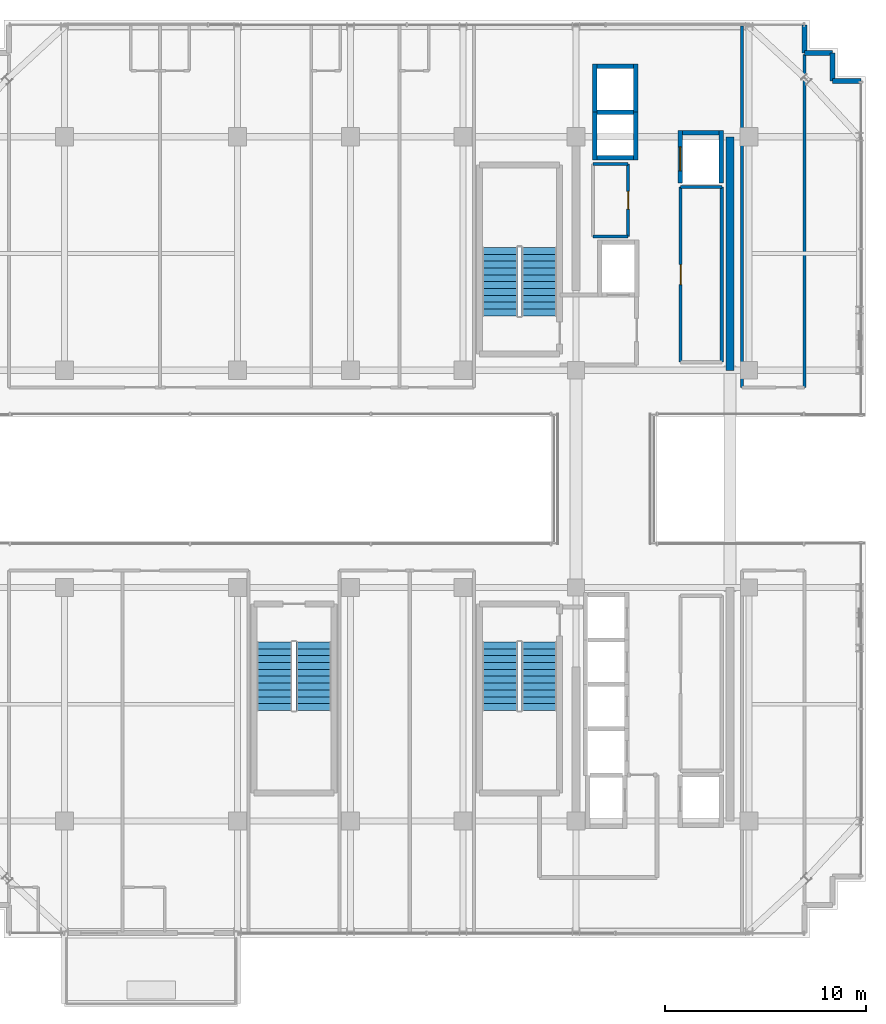
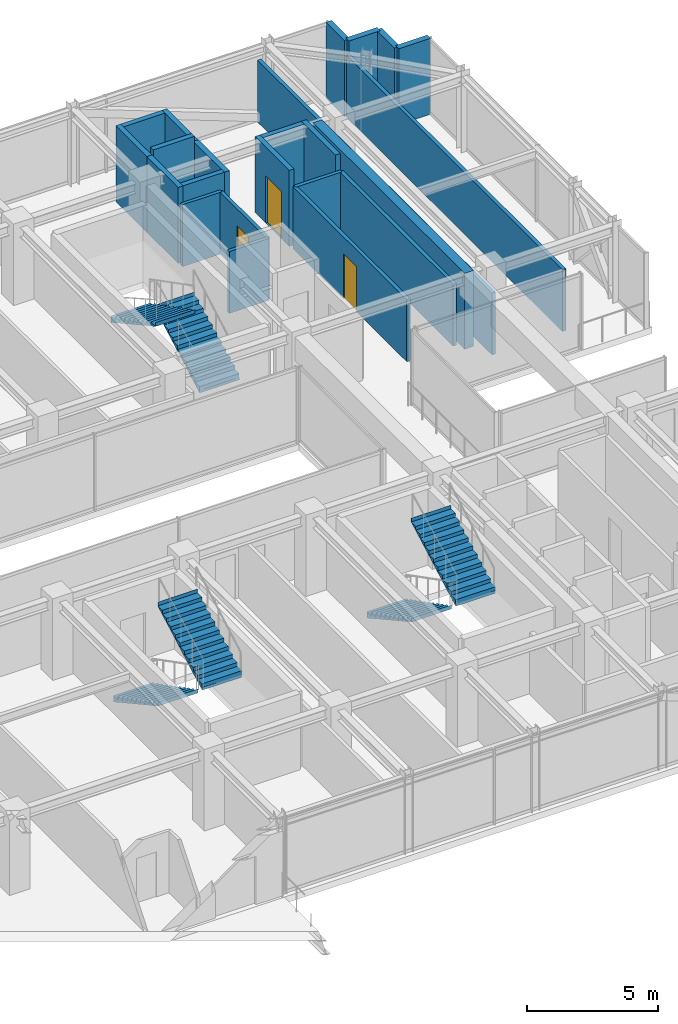
# One storey, part 33 of 37: 23 walls, 6 stair flights, 3 doors, 3 openings, 3 elements without a shape of their own.
"""IFC4 building model written with IfcOpenShell, lengths in metres."""

from ifc_helpers import new_model, si_unit, direction, frame, frame_2d, origin, place, context, subcontext, project, spatial, polyline, rectangle, outline, extrude, source, transform, mapped, material, layer, layer_set, type_object, element, fill, aggregate, save


model = new_model("IFC4")

# Units and contexts
model_context = context("Model", 3, precision=1e-05, world=origin(), true_north=direction((0.0, 1.0)))
body_context = subcontext(model_context, "Body", "Model", "MODEL_VIEW")
ifc_project = project(units=[si_unit("LENGTHUNIT", "METRE"), si_unit("AREAUNIT", "SQUARE_METRE"), si_unit("VOLUMEUNIT", "CUBIC_METRE"), si_unit("PLANEANGLEUNIT", "RADIAN"), si_unit("MASSUNIT", "GRAM", prefix="KILO")], contexts=[model_context])

# Site, building, storey
site_placement = place(None, origin())
site = spatial("IfcSite", under=ifc_project, at=site_placement, CompositionType="ELEMENT")
building_placement = place(site_placement, origin())
building = spatial("IfcBuilding", under=site, at=building_placement, Name="Nahalor Promenade Grand Hotel", CompositionType="ELEMENT")
storey_placement = place(building_placement, frame((0.0, 0.0, 308.050048828125)))
storey = spatial("IfcBuildingStorey", under=building, at=storey_placement, Name="L79", CompositionType="ELEMENT", Elevation=308.050048828125)

# Walls
ifc_material_1 = material(Name="Concrete B-50 (C40/50)", Category="concrete")
ifc_layer_1 = layer(ifc_material_1, 0.39990234375)
ifc_layer_set_1 = layer_set([ifc_layer_1], Name="Concrete B-50 (C40/50)")
wall_type_1 = type_object("IfcWallType", Name="Wall-CoreShear-400", PredefinedType="SHEAR", material=ifc_layer_set_1)
shared_shape_1 = source(origin(), body_context, "Body", "SweptSolid", [
    extrude(rectangle(XDim=11.60009765625, YDim=0.39990234375, at=frame_2d((5.800048828125, 0.0))), origin(), (0.0, 0.0, 1.0), 3.550048828125),
])
wall_1_placement = place(storey_placement, frame((16.050048828125, 5.39990234375, 0.0), z_axis=(0.0, 0.0, 1.0), x_axis=(0.0, 1.0, 0.0)))
element("IfcWall", 1, at=wall_1_placement, inside=storey, type_object=wall_type_1, Name="CWALL-L79-NE", PredefinedType="SHEAR", context=body_context, shape_type="MappedRepresentation", body=[
    mapped(shared_shape_1, transform((0.0, 0.0, 0.0), scale=1.0)),
])
ifc_layer_2 = layer(ifc_material_1, 0.219970703125)
ifc_layer_set_2 = layer_set([ifc_layer_2], Name="Concrete B-50 (C40/50)")
wall_type_2 = type_object("IfcWallType", Name="Wall-LiftShaft-220", PredefinedType="SHEAR", material=ifc_layer_set_2)
shared_shape_2 = source(origin(), body_context, "Body", "SweptSolid", [
    extrude(rectangle(XDim=1.820068359375, YDim=0.219970703125, at=frame_2d((0.91015625, 0.0))), origin(), (0.0, 0.0, 1.0), 3.550048828125),
])
for number, where, z_axis, x_axis, name in (
    (2, (9.43994140625, 15.949951171875, 0.0), (0.0, 0.0, 1.0), (1.0, 0.0, 0.0), "L79 Lift OB1 Hoistway Wall S"),
    (3, (9.43994140625, 20.5, 0.0), (0.0, 0.0, 1.0), (1.0, 0.0, 0.0), "L79 Lift OB2 Hoistway Wall N"),
    (4, (13.68994140625, 17.199951171875, 0.0), (0.0, 0.0, 1.0), (1.0, 0.0, 0.0), "L79 Lift SV1 Hoistway Wall N"),
):
    element("IfcWall", number, at=place(storey_placement, frame(where, z_axis=z_axis, x_axis=x_axis)), inside=storey, type_object=wall_type_2, Name=name, PredefinedType="SHEAR", context=body_context, shape_type="MappedRepresentation", body=[
        mapped(shared_shape_2, transform((0.0, 0.0, 0.0), scale=1.0)),
    ])
shared_shape_3 = source(origin(), body_context, "Body", "SweptSolid", [
    extrude(rectangle(XDim=1.820068359375, YDim=0.219970703125, at=frame_2d((0.91015625, 0.0))), origin(), (0.0, 0.0, 1.0), 3.849853515625),
])
wall_2_placement = place(storey_placement, frame((9.43994140625, 18.22509765625, 0.0), z_axis=(0.0, 0.0, 1.0), x_axis=(1.0, 0.0, 0.0)))
element("IfcWall", 5, at=wall_2_placement, inside=storey, type_object=wall_type_2, Name="L79 Lift OB1 Hoistway Wall N", PredefinedType="SHEAR", context=body_context, shape_type="MappedRepresentation", body=[
    mapped(shared_shape_3, transform((0.0, 0.0, 0.0), scale=1.0)),
])
shared_shape_4 = source(origin(), body_context, "Body", "SweptSolid", [
    extrude(rectangle(XDim=2.385009765625, YDim=0.219970703125, at=frame_2d((1.1923828125, 0.0))), origin(), (0.0, 0.0, 1.0), 3.550048828125),
])
for number, where, z_axis, x_axis, name in (
    (6, (9.330078125, 15.840087890625, 0.0), (0.0, 0.0, 1.0), (0.0, 1.0, 0.0), "L79 Lift OB1 Hoistway Wall W"),
    (7, (11.3701171875, 15.840087890625, 0.0), (0.0, 0.0, 1.0), (0.0, 1.0, 0.0), "L79 Lift OB1 Hoistway Wall E"),
    (8, (9.330078125, 18.22509765625, 0.0), (0.0, 0.0, 1.0), (0.0, 1.0, 0.0), "L79 Lift OB2 Hoistway Wall W"),
    (9, (11.3701171875, 18.22509765625, 0.0), (0.0, 0.0, 1.0), (0.0, 1.0, 0.0), "L79 Lift OB2 Hoistway Wall E"),
):
    element("IfcWall", number, at=place(storey_placement, frame(where, z_axis=z_axis, x_axis=x_axis)), inside=storey, type_object=wall_type_2, Name=name, PredefinedType="SHEAR", context=body_context, shape_type="MappedRepresentation", body=[
        mapped(shared_shape_4, transform((0.0, 0.0, 0.0), scale=1.0)),
    ])

# Wall, opening, door
shared_shape_5 = source(origin(), body_context, "Body", "SweptSolid", [
    extrude(rectangle(XDim=2.610107421875, YDim=0.219970703125, at=frame_2d((1.30517578125, 0.0))), origin(), (0.0, 0.0, 1.0), 3.550048828125),
])
wall_3_placement = place(storey_placement, frame((13.580078125, 14.699951171875, 0.0), z_axis=(0.0, 0.0, 1.0), x_axis=(0.0, 1.0, 0.0)))
wall_3 = element("IfcWall", 10, at=wall_3_placement, inside=storey, type_object=wall_type_2, Name="L79 Lift SV1 Hoistway Wall W", PredefinedType="SHEAR", context=body_context, shape_type="MappedRepresentation", body=[
    mapped(shared_shape_5, transform((0.0, 0.0, 0.0), scale=1.0)),
])
opening_1_placement = place(wall_3_placement, frame((0.60009765625, 0.0, 0.0)))
opening_1 = element("IfcOpeningElement", 11, at=opening_1_placement, cuts=wall_3, Name="Opening LD-03", PredefinedType="OPENING", context=body_context, shape_type="SweptSolid", body=[
    extrude(rectangle(XDim=1.199951171875, YDim=2.199951171875, at=frame_2d((0.60009765625, 1.10009765625))), frame((0.0, 0.119873046875, 0.0), z_axis=(0.0, -1.0, 0.0), x_axis=(1.0, 0.0, 0.0)), (0.0, 0.0, 1.0), 0.239990234375),
])
ifc_material_2 = material(Name="Steel S355JR", Category="steel")
door_type_1 = type_object("IfcDoorType", Name="Door-LiftService-1200", OperationType="DOUBLE_DOOR_SLIDING", PredefinedType="DOOR", material=ifc_material_2)
shared_shape_6 = source(origin(), body_context, "Body", "SweptSolid", [
    extrude(rectangle(XDim=1.199951171875, YDim=2.199951171875, at=frame_2d((0.60009765625, 1.10009765625))), frame((0.0, 0.02490234375, 0.0), z_axis=(0.0, -1.0, 0.0), x_axis=(1.0, 0.0, 0.0)), (0.0, 0.0, 1.0), 0.050048828125),
])
door_1_placement = place(opening_1_placement, origin())
door_1 = element("IfcDoor", 12, at=door_1_placement, inside=storey, type_object=door_type_1, Name="DR-LIFT-SV1-L79", OperationType="DOUBLE_DOOR_SLIDING", OverallHeight=2.199951171875, OverallWidth=1.199951171875, PredefinedType="DOOR", context=body_context, shape_type="MappedRepresentation", body=[
    mapped(shared_shape_6, transform((0.0, 0.0, 0.0), scale=1.0)),
])
fill(opening_1, door_1)

# Walls
wall_4_placement = place(storey_placement, frame((15.6201171875, 14.699951171875, 0.0), z_axis=(0.0, 0.0, 1.0), x_axis=(0.0, 1.0, 0.0)))
element("IfcWall", 13, at=wall_4_placement, inside=storey, type_object=wall_type_2, Name="L79 Lift SV1 Hoistway Wall E", PredefinedType="SHEAR", context=body_context, shape_type="MappedRepresentation", body=[
    mapped(shared_shape_5, transform((0.0, 0.0, 0.0), scale=1.0)),
])
ifc_material_3 = material(Name="Concrete B-40 (C32/40)", Category="concrete")
ifc_layer_3 = layer(ifc_material_3, 0.25)
ifc_layer_set_3 = layer_set([ifc_layer_3], Name="Concrete B-40 (C32/40)")
wall_type_3 = type_object("IfcWallType", Name="Wall-BronzePier-250", PredefinedType="STANDARD", material=ifc_layer_set_3)
shared_shape_7 = source(origin(), body_context, "Body", "SweptSolid", [
    extrude(rectangle(XDim=1.400146484375, YDim=0.25, at=frame_2d((0.7001953125, 0.0))), origin(), (0.0, 0.0, 1.0), 3.550048828125),
])
for number, where, z_axis, x_axis, name in (
    (14, (21.159912109375, 19.760009765625, 0.0), (0.0, 0.0, 1.0), (1.0, 0.0, 0.0), "W-L79-SR-05"),
    (15, (19.760009765625, 21.159912109375, 0.0), (0.0, 0.0, 1.0), (0.0, 1.0, 0.0), "W-L79-SR-08"),
):
    element("IfcWall", number, at=place(storey_placement, frame(where, z_axis=z_axis, x_axis=x_axis)), inside=storey, type_object=wall_type_3, Name=name, PredefinedType="STANDARD", context=body_context, shape_type="MappedRepresentation", body=[
        mapped(shared_shape_7, transform((0.0, 0.0, 0.0), scale=1.0)),
    ])
shared_shape_8 = source(origin(), body_context, "Body", "SweptSolid", [
    extrude(rectangle(XDim=1.39990234375, YDim=0.25, at=frame_2d((0.699951171875, 0.0))), origin(), (0.0, 0.0, 1.0), 3.550048828125),
])
for number, where, z_axis, x_axis, name in (
    (16, (21.159912109375, 19.760009765625, 0.0), (0.0, 0.0, 1.0), (0.0, 1.0, 0.0), "W-L79-SR-06"),
    (17, (19.760009765625, 21.159912109375, 0.0), (0.0, 0.0, 1.0), (1.0, 0.0, 0.0), "W-L79-SR-07"),
):
    element("IfcWall", number, at=place(storey_placement, frame(where, z_axis=z_axis, x_axis=x_axis)), inside=storey, type_object=wall_type_3, Name=name, PredefinedType="STANDARD", context=body_context, shape_type="MappedRepresentation", body=[
        mapped(shared_shape_8, transform((0.0, 0.0, 0.0), scale=1.0)),
    ])
ifc_material_4 = material(Name="Acoustic Mineral Gypsum", Category="gypsum")
ifc_layer_4 = layer(ifc_material_4, 0.14990234375)
ifc_layer_set_4 = layer_set([ifc_layer_4], Name="Acoustic Mineral Gypsum")
wall_type_4 = type_object("IfcWallType", Name="Wall-PartService-150", PredefinedType="PARTITIONING", material=ifc_layer_set_4)
shared_shape_9 = source(origin(), body_context, "Body", "SweptSolid", [
    extrude(rectangle(XDim=1.75, YDim=0.14990234375, at=frame_2d((0.875, 0.0))), origin(), (0.0, 0.0, 1.0), 2.889892578125),
])
for number, where, z_axis, x_axis, name in (
    (18, (9.25, 12.050048828125, 0.0), (0.0, 0.0, 1.0), (1.0, 0.0, 0.0), "W-L79-CK1A-S"),
    (19, (9.25, 15.64990234375, 0.0), (0.0, 0.0, 1.0), (1.0, 0.0, 0.0), "W-L79-CK1A-N"),
):
    element("IfcWall", number, at=place(storey_placement, frame(where, z_axis=z_axis, x_axis=x_axis)), inside=storey, type_object=wall_type_4, Name=name, PredefinedType="PARTITIONING", context=body_context, shape_type="MappedRepresentation", body=[
        mapped(shared_shape_9, transform((0.0, 0.0, 0.0), scale=1.0)),
    ])
ifc_layer_5 = layer(ifc_material_4, 0.159912109375)
ifc_layer_set_5 = layer_set([ifc_layer_5], Name="Acoustic Mineral Gypsum")
wall_type_5 = type_object("IfcWallType", Name="Wall-PartCorridor-160", PredefinedType="PARTITIONING", material=ifc_layer_set_5)
shared_shape_10 = source(origin(), body_context, "Body", "SweptSolid", [
    extrude(rectangle(XDim=2.0498046875, YDim=0.159912109375, at=frame_2d((1.02490234375, 0.0))), origin(), (0.0, 0.0, 1.0), 2.889892578125),
])
wall_5_placement = place(storey_placement, frame((13.60009765625, 14.5, 0.0), z_axis=(0.0, 0.0, 1.0), x_axis=(1.0, 0.0, 0.0)))
element("IfcWall", 20, at=wall_5_placement, inside=storey, type_object=wall_type_5, Name="W-L79-FRB1-N", PredefinedType="PARTITIONING", context=body_context, shape_type="MappedRepresentation", body=[
    mapped(shared_shape_10, transform((0.0, 0.0, 0.0), scale=1.0)),
])
shared_shape_11 = source(origin(), body_context, "Body", "SweptSolid", [
    extrude(rectangle(XDim=17.949951171875, YDim=0.159912109375, at=frame_2d((8.97509765625, 0.0))), origin(), (0.0, 0.0, 1.0), 2.889892578125),
])
wall_6_placement = place(storey_placement, frame((16.64990234375, 4.550048828125, 0.0), z_axis=(0.0, 0.0, 1.0), x_axis=(0.0, 1.0, 0.0)))
element("IfcWall", 21, at=wall_6_placement, inside=storey, type_object=wall_type_5, Name="W-L79-ENE-W", PredefinedType="PARTITIONING", context=body_context, shape_type="MappedRepresentation", body=[
    mapped(shared_shape_11, transform((0.0, 0.0, 0.0), scale=1.0)),
])
shared_shape_12 = source(origin(), body_context, "Body", "SweptSolid", [
    extrude(rectangle(XDim=16.530029296875, YDim=0.159912109375, at=frame_2d((8.26513671875, 0.0))), origin(), (0.0, 0.0, 1.0), 2.889892578125),
])
wall_7_placement = place(storey_placement, frame((19.760009765625, 4.550048828125, 0.0), z_axis=(0.0, 0.0, 1.0), x_axis=(0.0, 1.0, 0.0)))
element("IfcWall", 22, at=wall_7_placement, inside=storey, type_object=wall_type_5, Name="W-L79-ENE-E", PredefinedType="PARTITIONING", context=body_context, shape_type="MappedRepresentation", body=[
    mapped(shared_shape_12, transform((0.0, 0.0, 0.0), scale=1.0)),
])

# Wall, opening, door
shared_shape_13 = source(origin(), body_context, "Body", "SweptSolid", [
    extrude(rectangle(XDim=3.599853515625, YDim=0.14990234375, at=frame_2d((1.7998046875, 0.0))), origin(), (0.0, 0.0, 1.0), 2.889892578125),
])
wall_8_placement = place(storey_placement, frame((11.0, 12.050048828125, 0.0), z_axis=(0.0, 0.0, 1.0), x_axis=(0.0, 1.0, 0.0)))
wall_8 = element("IfcWall", 23, at=wall_8_placement, inside=storey, type_object=wall_type_4, Name="W-L79-CK1A-E", PredefinedType="PARTITIONING", context=body_context, shape_type="MappedRepresentation", body=[
    mapped(shared_shape_13, transform((0.0, 0.0, 0.0), scale=1.0)),
])
opening_2_placement = place(wall_8_placement, frame((1.360107421875, 0.0, 0.0)))
opening_2 = element("IfcOpeningElement", 24, at=opening_2_placement, cuts=wall_8, Name="Opening D-03", PredefinedType="OPENING", context=body_context, shape_type="SweptSolid", body=[
    extrude(rectangle(XDim=0.8798828125, YDim=2.10009765625, at=frame_2d((0.43994140625, 1.050048828125))), frame((0.0, 0.0849609375, 0.0), z_axis=(0.0, -1.0, 0.0), x_axis=(1.0, 0.0, 0.0)), (0.0, 0.0, 1.0), 0.169921875),
])
ifc_material_5 = material(Name="Fire-Rated Timber Composite", Category="wood")
door_type_2 = type_object("IfcDoorType", Name="Door-BathSwing-880", OperationType="NOTDEFINED", PredefinedType="DOOR", material=ifc_material_5)
shared_shape_14 = source(origin(), body_context, "Body", "SweptSolid", [
    extrude(rectangle(XDim=0.8798828125, YDim=2.10009765625, at=frame_2d((0.43994140625, 1.050048828125))), frame((0.0, 0.02490234375, 0.0), z_axis=(0.0, -1.0, 0.0), x_axis=(1.0, 0.0, 0.0)), (0.0, 0.0, 1.0), 0.050048828125),
])
door_2_placement = place(opening_2_placement, origin())
door_2 = element("IfcDoor", 25, at=door_2_placement, inside=storey, type_object=door_type_2, Name="DR-L79-CK1A", OperationType="SINGLE_SWING_LEFT", OverallHeight=2.10009765625, OverallWidth=0.8798828125, PredefinedType="DOOR", context=body_context, shape_type="MappedRepresentation", body=[
    mapped(shared_shape_14, transform((0.0, 0.0, 0.0), scale=1.0)),
])
fill(opening_2, door_2)

shared_shape_15 = source(origin(), body_context, "Body", "SweptSolid", [
    extrude(rectangle(XDim=8.699951171875, YDim=0.159912109375, at=frame_2d((4.35009765625, 0.0))), origin(), (0.0, 0.0, 1.0), 2.889892578125),
])
wall_9_placement = place(storey_placement, frame((13.60009765625, 5.800048828125, 0.0), z_axis=(0.0, 0.0, 1.0), x_axis=(0.0, 1.0, 0.0)))
wall_9 = element("IfcWall", 26, at=wall_9_placement, inside=storey, type_object=wall_type_5, Name="W-L79-FRB1-W", PredefinedType="PARTITIONING", context=body_context, shape_type="MappedRepresentation", body=[
    mapped(shared_shape_15, transform((0.0, 0.0, 0.0), scale=1.0)),
])
opening_3_placement = place(wall_9_placement, frame((3.85009765625, 0.0, 0.0)))
opening_3 = element("IfcOpeningElement", 27, at=opening_3_placement, cuts=wall_9, Name="Opening D-04", PredefinedType="OPENING", context=body_context, shape_type="SweptSolid", body=[
    extrude(rectangle(XDim=1.0, YDim=2.10009765625, at=frame_2d((0.5, 1.050048828125))), frame((0.0, 0.08984375, 0.0), z_axis=(0.0, -1.0, 0.0), x_axis=(1.0, 0.0, 0.0)), (0.0, 0.0, 1.0), 0.179931640625),
])
door_type_3 = type_object("IfcDoorType", Name="Door-ServiceFire-1000", OperationType="NOTDEFINED", PredefinedType="DOOR", material=ifc_material_2)
shared_shape_16 = source(origin(), body_context, "Body", "SweptSolid", [
    extrude(rectangle(XDim=1.0, YDim=2.10009765625, at=frame_2d((0.5, 1.050048828125))), frame((0.0, 0.02490234375, 0.0), z_axis=(0.0, -1.0, 0.0), x_axis=(1.0, 0.0, 0.0)), (0.0, 0.0, 1.0), 0.050048828125),
])
door_3_placement = place(opening_3_placement, frame((1.0, 0.0, 0.0), z_axis=(0.0, 0.0, 1.0), x_axis=(-1.0, 0.0, 0.0)))
door_3 = element("IfcDoor", 28, at=door_3_placement, inside=storey, type_object=door_type_3, Name="DR-L79-FRB1", OperationType="SINGLE_SWING_RIGHT", OverallHeight=2.10009765625, OverallWidth=1.0, PredefinedType="DOOR", context=body_context, shape_type="MappedRepresentation", body=[
    mapped(shared_shape_16, transform((0.0, 0.0, 0.0), scale=1.0)),
])
fill(opening_3, door_3)

# Wall
wall_10_placement = place(storey_placement, frame((15.64990234375, 5.800048828125, 0.0), z_axis=(0.0, 0.0, 1.0), x_axis=(0.0, 1.0, 0.0)))
element("IfcWall", 29, at=wall_10_placement, inside=storey, type_object=wall_type_5, Name="W-L79-FRB1-E", PredefinedType="PARTITIONING", context=body_context, shape_type="MappedRepresentation", body=[
    mapped(shared_shape_15, transform((0.0, 0.0, 0.0), scale=1.0)),
])

# Stair, stair flights
stair_type_1 = type_object("IfcStairType", Name="Stair-ST1", PredefinedType="HALF_TURN_STAIR", material=ifc_material_1)
stair_1_placement = place(storey_placement, origin())
stair_1 = element("IfcStair", 30, at=stair_1_placement, inside=storey, type_object=stair_type_1, Name="L79 ST1", PredefinedType="HALF_TURN_STAIR")
ifc_layer_6 = layer(ifc_material_1, 0.179931640625)
ifc_layer_set_6 = layer_set([ifc_layer_6], Name="Concrete B-50 (C40/50)")
stair_flight_type_1 = type_object("IfcStairFlightType", Name="Flight-ST1", PredefinedType="STRAIGHT", material=ifc_layer_set_6)
shared_shape_17 = source(origin(), body_context, "Body", "SweptSolid", [
    extrude(outline(polyline([(-0.00390625, -0.1201171875), (-0.00390625, 0.0), (0.0, 0.0), (0.0, 0.175048828125), (0.340087890625, 0.175048828125), (0.340087890625, 0.35009765625), (0.679931640625, 0.35009765625), (0.679931640625, 0.52490234375), (1.02001953125, 0.52490234375), (1.02001953125, 0.699951171875), (1.360107421875, 0.699951171875), (1.360107421875, 0.875), (1.699951171875, 0.875), (1.699951171875, 1.050048828125), (2.0400390625, 1.050048828125), (2.0400390625, 1.22509765625), (2.3798828125, 1.22509765625), (2.3798828125, 1.39990234375), (2.719970703125, 1.39990234375), (2.719970703125, 1.574951171875), (3.06005859375, 1.574951171875), (3.06005859375, 1.75), (3.39990234375, 1.75), (3.39990234375, 1.925048828125), (3.404052734375, 1.925048828125), (3.404052734375, 1.7451171875), (0.02001953125, -0.1201171875), (-0.00390625, -0.1201171875)])), frame((0.0, 0.875, 0.0), z_axis=(0.0, -1.0, 0.0), x_axis=(1.0, 0.0, 0.0)), (0.0, 0.0, 1.0), 1.75),
])
stair_flight_1_placement = place(storey_placement, frame((6.574951171875, 8.10009765625, 0.0), z_axis=(0.0, 0.0, 1.0), x_axis=(0.0, 1.0, 0.0)))
stair_flight_1 = element("IfcStairFlight", 31, at=stair_flight_1_placement, type_object=stair_flight_type_1, Name="ST1 flight 1", NumberOfRisers=11, NumberOfTreads=10, PredefinedType="STRAIGHT", RiserHeight=0.175, TreadLength=0.34, context=body_context, shape_type="MappedRepresentation", body=[
    mapped(shared_shape_17, transform((0.0, 0.0, 0.0), scale=1.0)),
])
stair_flight_2_placement = place(storey_placement, frame((4.625, 11.5, 1.925048828125), z_axis=(0.0, 0.0, 1.0), x_axis=(0.0, -1.0, 0.0)))
stair_flight_2 = element("IfcStairFlight", 32, at=stair_flight_2_placement, type_object=stair_flight_type_1, Name="ST1 flight 2", NumberOfRisers=11, NumberOfTreads=10, PredefinedType="STRAIGHT", RiserHeight=0.175, TreadLength=0.34, context=body_context, shape_type="MappedRepresentation", body=[
    mapped(shared_shape_17, transform((0.0, 0.0, 0.0), scale=1.0)),
])
aggregate(stair_1, [stair_flight_1, stair_flight_2])

stair_type_2 = type_object("IfcStairType", Name="Stair-ST2", PredefinedType="HALF_TURN_STAIR", material=ifc_material_1)
stair_2_placement = place(storey_placement, origin())
stair_2 = element("IfcStair", 33, at=stair_2_placement, inside=storey, type_object=stair_type_2, Name="L79 ST2", PredefinedType="HALF_TURN_STAIR")
ifc_layer_7 = layer(ifc_material_1, 0.18994140625)
ifc_layer_set_7 = layer_set([ifc_layer_7], Name="Concrete B-50 (C40/50)")
stair_flight_type_2 = type_object("IfcStairFlightType", Name="Flight-ST2", PredefinedType="STRAIGHT", material=ifc_layer_set_7)
shared_shape_18 = source(origin(), body_context, "Body", "SweptSolid", [
    extrude(outline(polyline([(-0.00390625, -0.1201171875), (-0.00390625, 0.0), (0.0, 0.0), (0.0, 0.175048828125), (0.340087890625, 0.175048828125), (0.340087890625, 0.35009765625), (0.679931640625, 0.35009765625), (0.679931640625, 0.52490234375), (1.02001953125, 0.52490234375), (1.02001953125, 0.699951171875), (1.360107421875, 0.699951171875), (1.360107421875, 0.875), (1.699951171875, 0.875), (1.699951171875, 1.050048828125), (2.0400390625, 1.050048828125), (2.0400390625, 1.22509765625), (2.3798828125, 1.22509765625), (2.3798828125, 1.39990234375), (2.719970703125, 1.39990234375), (2.719970703125, 1.574951171875), (3.06005859375, 1.574951171875), (3.06005859375, 1.75), (3.39990234375, 1.75), (3.39990234375, 1.925048828125), (3.404052734375, 1.925048828125), (3.404052734375, 1.7451171875), (0.02001953125, -0.1201171875), (-0.00390625, -0.1201171875)])), frame((0.0, 0.875, 0.0), z_axis=(0.0, -1.0, 0.0), x_axis=(1.0, 0.0, 0.0)), (0.0, 0.0, 1.0), 1.75),
])
stair_flight_3_placement = place(storey_placement, frame((4.625, -8.10009765625, 0.0), z_axis=(0.0, 0.0, 1.0), x_axis=(0.0, -1.0, 0.0)))
stair_flight_3 = element("IfcStairFlight", 34, at=stair_flight_3_placement, type_object=stair_flight_type_2, Name="ST2 flight 1", NumberOfRisers=11, NumberOfTreads=10, PredefinedType="STRAIGHT", RiserHeight=0.175, TreadLength=0.34, context=body_context, shape_type="MappedRepresentation", body=[
    mapped(shared_shape_18, transform((0.0, 0.0, 0.0), scale=1.0)),
])
stair_flight_4_placement = place(storey_placement, frame((6.574951171875, -11.5, 1.925048828125), z_axis=(0.0, 0.0, 1.0), x_axis=(0.0, 1.0, 0.0)))
stair_flight_4 = element("IfcStairFlight", 35, at=stair_flight_4_placement, type_object=stair_flight_type_2, Name="ST2 flight 2", NumberOfRisers=11, NumberOfTreads=10, PredefinedType="STRAIGHT", RiserHeight=0.175, TreadLength=0.34, context=body_context, shape_type="MappedRepresentation", body=[
    mapped(shared_shape_18, transform((0.0, 0.0, 0.0), scale=1.0)),
])
aggregate(stair_2, [stair_flight_3, stair_flight_4])

stair_type_3 = type_object("IfcStairType", Name="Stair-ST3", PredefinedType="HALF_TURN_STAIR", material=ifc_material_1)
stair_3_placement = place(storey_placement, origin())
stair_3 = element("IfcStair", 36, at=stair_3_placement, inside=storey, type_object=stair_type_3, Name="L79 ST3", PredefinedType="HALF_TURN_STAIR")
ifc_layer_8 = layer(ifc_material_1, 0.199951171875)
ifc_layer_set_8 = layer_set([ifc_layer_8], Name="Concrete B-50 (C40/50)")
stair_flight_type_3 = type_object("IfcStairFlightType", Name="Flight-ST3", PredefinedType="STRAIGHT", material=ifc_layer_set_8)
shared_shape_19 = source(origin(), body_context, "Body", "SweptSolid", [
    extrude(outline(polyline([(-0.00390625, -0.1201171875), (-0.00390625, 0.0), (0.0, 0.0), (0.0, 0.175048828125), (0.340087890625, 0.175048828125), (0.340087890625, 0.35009765625), (0.679931640625, 0.35009765625), (0.679931640625, 0.52490234375), (1.02001953125, 0.52490234375), (1.02001953125, 0.699951171875), (1.360107421875, 0.699951171875), (1.360107421875, 0.875), (1.699951171875, 0.875), (1.699951171875, 1.050048828125), (2.0400390625, 1.050048828125), (2.0400390625, 1.22509765625), (2.3798828125, 1.22509765625), (2.3798828125, 1.39990234375), (2.719970703125, 1.39990234375), (2.719970703125, 1.574951171875), (3.06005859375, 1.574951171875), (3.06005859375, 1.75), (3.39990234375, 1.75), (3.39990234375, 1.925048828125), (3.404052734375, 1.925048828125), (3.404052734375, 1.7451171875), (0.02001953125, -0.1201171875), (-0.00390625, -0.1201171875)])), frame((0.0, 0.875, 0.0), z_axis=(0.0, -1.0, 0.0), x_axis=(1.0, 0.0, 0.0)), (0.0, 0.0, 1.0), 1.75),
])
stair_flight_5_placement = place(storey_placement, frame((-6.574951171875, -8.10009765625, 0.0), z_axis=(0.0, 0.0, 1.0), x_axis=(0.0, -1.0, 0.0)))
stair_flight_5 = element("IfcStairFlight", 37, at=stair_flight_5_placement, type_object=stair_flight_type_3, Name="ST3 flight 1", NumberOfRisers=11, NumberOfTreads=10, PredefinedType="STRAIGHT", RiserHeight=0.175, TreadLength=0.34, context=body_context, shape_type="MappedRepresentation", body=[
    mapped(shared_shape_19, transform((0.0, 0.0, 0.0), scale=1.0)),
])
stair_flight_6_placement = place(storey_placement, frame((-4.625, -11.5, 1.925048828125), z_axis=(0.0, 0.0, 1.0), x_axis=(0.0, 1.0, 0.0)))
stair_flight_6 = element("IfcStairFlight", 38, at=stair_flight_6_placement, type_object=stair_flight_type_3, Name="ST3 flight 2", NumberOfRisers=11, NumberOfTreads=10, PredefinedType="STRAIGHT", RiserHeight=0.175, TreadLength=0.34, context=body_context, shape_type="MappedRepresentation", body=[
    mapped(shared_shape_19, transform((0.0, 0.0, 0.0), scale=1.0)),
])
aggregate(stair_3, [stair_flight_5, stair_flight_6])

save(model, "model.ifc")
